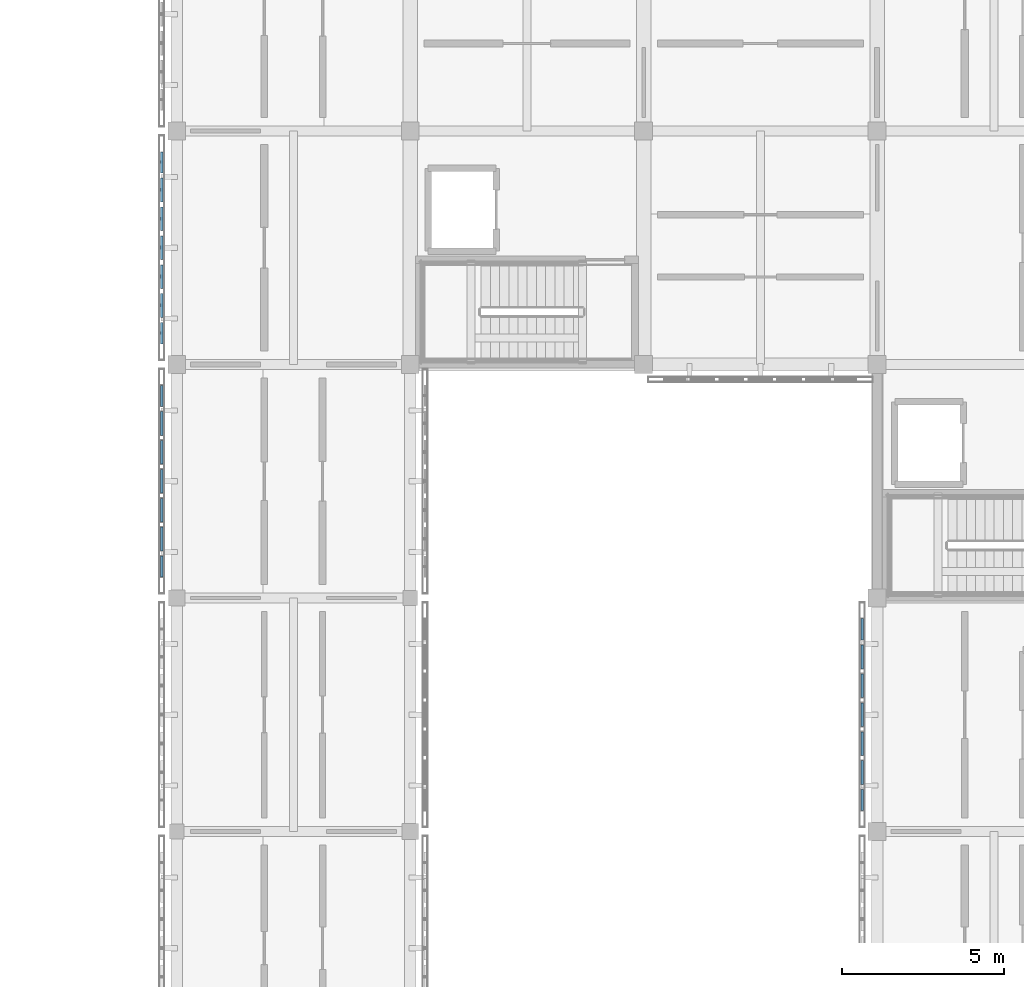
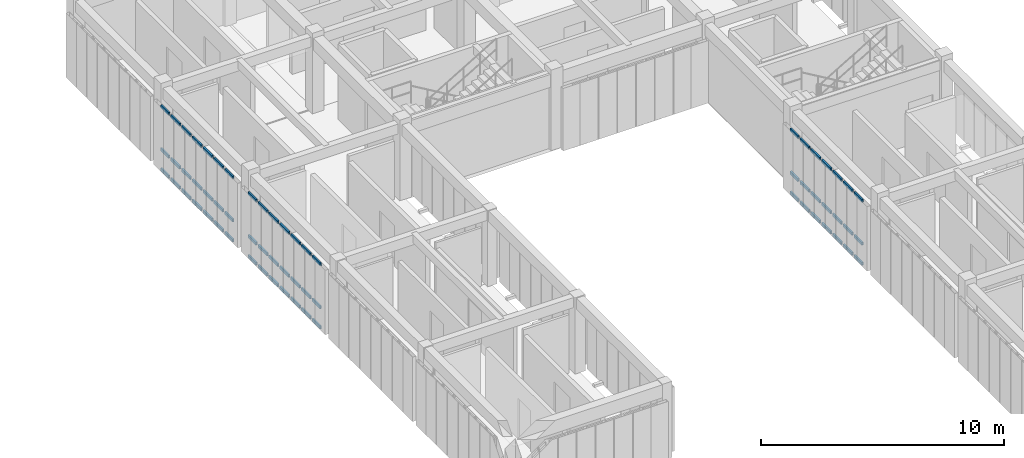
# One storey, part 31 of 67: 63 members, 3 elements without a shape of their own.
"""IFC4 building model written with IfcOpenShell, lengths in metres."""

from ifc_helpers import new_model, si_unit, direction, frame, origin, origin_2d, place, context, subcontext, project, spatial, hollow_rectangle, extrude, material, material_profile, profile_set, type_object, element, aggregate, save


model = new_model("IFC4")

# Units and contexts
model_context = context("Model", 3, precision=1e-05, world=origin(), true_north=direction((0.0, 1.0)))
body_context = subcontext(model_context, "Body", "Model", "MODEL_VIEW")
ifc_project = project(units=[si_unit("LENGTHUNIT", "METRE"), si_unit("AREAUNIT", "SQUARE_METRE"), si_unit("VOLUMEUNIT", "CUBIC_METRE"), si_unit("PLANEANGLEUNIT", "RADIAN"), si_unit("MASSUNIT", "GRAM", prefix="KILO")], contexts=[model_context])

# Site, building, storey
site_placement = place(None, origin())
site = spatial("IfcSite", under=ifc_project, at=site_placement, CompositionType="ELEMENT")
building_placement = place(site_placement, origin())
building = spatial("IfcBuilding", under=site, at=building_placement, Name="Aldebral Square Health Centre", CompositionType="ELEMENT")
storey_placement = place(building_placement, frame((0.0, 0.0, 13.5)))
storey = spatial("IfcBuildingStorey", under=building, at=storey_placement, Name="L03", CompositionType="ELEMENT", Elevation=13.5)

# Curtain wall, members
ifc_material_1 = material(Name="Aluminium and low-E solar glass", Category="aluminium")
curtain_wall_type = type_object("IfcCurtainWallType", Name="CW-FIN-SYS", PredefinedType="USERDEFINED", material=ifc_material_1)
curtain_wall_1_placement = place(storey_placement, origin())
curtain_wall_1 = element("IfcCurtainWall", 1, at=curtain_wall_1_placement, inside=storey, type_object=curtain_wall_type, Name="L03 V5 finned curtain wall L03-V5-19-13-W", ObjectType="SOLAR_CURTAIN_WALL", PredefinedType="USERDEFINED")
ifc_material_2 = material(Name="Anodised aluminium transom", Category="aluminium")
ifc_material_profile = material_profile(ifc_material_2, hollow_rectangle(XDim=0.074951171875, YDim=0.14990234375, WallThickness=0.00390625, at=origin_2d()), Name="CWT 75x150x4")
ifc_profile_set = profile_set([ifc_material_profile], Name="Anodised aluminium transom")
member_type = type_object("IfcMemberType", Name="CWT-STD", PredefinedType="USERDEFINED", material=ifc_profile_set)
member_1_placement = place(storey_placement, frame((136.340087890625, 100.159912109375, 0.03759765625), z_axis=(0.0, -1.0, 0.0), x_axis=(1.0, 0.0, 0.0)))
member_1 = element("IfcMember", 2, at=member_1_placement, type_object=member_type, Name="CW1 transom 1.1", ObjectType="TRANSOM", PredefinedType="USERDEFINED", context=body_context, shape_type="SweptSolid", body=[
    extrude(hollow_rectangle(XDim=0.074951171875, YDim=0.14990234375, WallThickness=0.00390625, at=origin_2d()), origin(), (0.0, 0.0, 1.0), 0.6513671875),
])
member_2_placement = place(storey_placement, frame((136.340087890625, 100.159912109375, 1.050048828125), z_axis=(0.0, -1.0, 0.0), x_axis=(1.0, 0.0, 0.0)))
member_2 = element("IfcMember", 3, at=member_2_placement, type_object=member_type, Name="CW1 transom 1.2", ObjectType="TRANSOM", PredefinedType="USERDEFINED", context=body_context, shape_type="SweptSolid", body=[
    extrude(hollow_rectangle(XDim=0.074951171875, YDim=0.14990234375, WallThickness=0.00390625, at=origin_2d()), origin(), (0.0, 0.0, 1.0), 0.6513671875),
])
member_3_placement = place(storey_placement, frame((136.340087890625, 100.159912109375, 3.202392578125), z_axis=(0.0, -1.0, 0.0), x_axis=(1.0, 0.0, 0.0)))
member_3 = element("IfcMember", 4, at=member_3_placement, type_object=member_type, Name="CW1 transom 1.3", ObjectType="TRANSOM", PredefinedType="USERDEFINED", context=body_context, shape_type="SweptSolid", body=[
    extrude(hollow_rectangle(XDim=0.074951171875, YDim=0.14990234375, WallThickness=0.00390625, at=origin_2d()), origin(), (0.0, 0.0, 1.0), 0.6513671875),
])
member_4_placement = place(storey_placement, frame((136.340087890625, 99.3486328125, 0.03759765625), z_axis=(0.0, -1.0, 0.0), x_axis=(1.0, 0.0, 0.0)))
member_4 = element("IfcMember", 5, at=member_4_placement, type_object=member_type, Name="CW1 transom 2.1", ObjectType="TRANSOM", PredefinedType="USERDEFINED", context=body_context, shape_type="SweptSolid", body=[
    extrude(hollow_rectangle(XDim=0.074951171875, YDim=0.14990234375, WallThickness=0.00390625, at=origin_2d()), origin(), (0.0, 0.0, 1.0), 0.7314453125),
])
member_5_placement = place(storey_placement, frame((136.340087890625, 99.3486328125, 1.050048828125), z_axis=(0.0, -1.0, 0.0), x_axis=(1.0, 0.0, 0.0)))
member_5 = element("IfcMember", 6, at=member_5_placement, type_object=member_type, Name="CW1 transom 2.2", ObjectType="TRANSOM", PredefinedType="USERDEFINED", context=body_context, shape_type="SweptSolid", body=[
    extrude(hollow_rectangle(XDim=0.074951171875, YDim=0.14990234375, WallThickness=0.00390625, at=origin_2d()), origin(), (0.0, 0.0, 1.0), 0.7314453125),
])
member_6_placement = place(storey_placement, frame((136.340087890625, 99.3486328125, 3.202392578125), z_axis=(0.0, -1.0, 0.0), x_axis=(1.0, 0.0, 0.0)))
member_6 = element("IfcMember", 7, at=member_6_placement, type_object=member_type, Name="CW1 transom 2.3", ObjectType="TRANSOM", PredefinedType="USERDEFINED", context=body_context, shape_type="SweptSolid", body=[
    extrude(hollow_rectangle(XDim=0.074951171875, YDim=0.14990234375, WallThickness=0.00390625, at=origin_2d()), origin(), (0.0, 0.0, 1.0), 0.7314453125),
])
member_7_placement = place(storey_placement, frame((136.340087890625, 98.45703125, 0.03759765625), z_axis=(0.0, -1.0, 0.0), x_axis=(1.0, 0.0, 0.0)))
member_7 = element("IfcMember", 8, at=member_7_placement, type_object=member_type, Name="CW1 transom 3.1", ObjectType="TRANSOM", PredefinedType="USERDEFINED", context=body_context, shape_type="SweptSolid", body=[
    extrude(hollow_rectangle(XDim=0.074951171875, YDim=0.14990234375, WallThickness=0.00390625, at=origin_2d()), origin(), (0.0, 0.0, 1.0), 0.731201171875),
])
member_8_placement = place(storey_placement, frame((136.340087890625, 98.45703125, 1.050048828125), z_axis=(0.0, -1.0, 0.0), x_axis=(1.0, 0.0, 0.0)))
member_8 = element("IfcMember", 9, at=member_8_placement, type_object=member_type, Name="CW1 transom 3.2", ObjectType="TRANSOM", PredefinedType="USERDEFINED", context=body_context, shape_type="SweptSolid", body=[
    extrude(hollow_rectangle(XDim=0.074951171875, YDim=0.14990234375, WallThickness=0.00390625, at=origin_2d()), origin(), (0.0, 0.0, 1.0), 0.731201171875),
])
member_9_placement = place(storey_placement, frame((136.340087890625, 98.45703125, 3.202392578125), z_axis=(0.0, -1.0, 0.0), x_axis=(1.0, 0.0, 0.0)))
member_9 = element("IfcMember", 10, at=member_9_placement, type_object=member_type, Name="CW1 transom 3.3", ObjectType="TRANSOM", PredefinedType="USERDEFINED", context=body_context, shape_type="SweptSolid", body=[
    extrude(hollow_rectangle(XDim=0.074951171875, YDim=0.14990234375, WallThickness=0.00390625, at=origin_2d()), origin(), (0.0, 0.0, 1.0), 0.731201171875),
])
member_10_placement = place(storey_placement, frame((136.340087890625, 97.565673828125, 0.03759765625), z_axis=(0.0, -1.0, 0.0), x_axis=(1.0, 0.0, 0.0)))
member_10 = element("IfcMember", 11, at=member_10_placement, type_object=member_type, Name="CW1 transom 4.1", ObjectType="TRANSOM", PredefinedType="USERDEFINED", context=body_context, shape_type="SweptSolid", body=[
    extrude(hollow_rectangle(XDim=0.074951171875, YDim=0.14990234375, WallThickness=0.00390625, at=origin_2d()), origin(), (0.0, 0.0, 1.0), 0.7314453125),
])
member_11_placement = place(storey_placement, frame((136.340087890625, 97.565673828125, 1.050048828125), z_axis=(0.0, -1.0, 0.0), x_axis=(1.0, 0.0, 0.0)))
member_11 = element("IfcMember", 12, at=member_11_placement, type_object=member_type, Name="CW1 transom 4.2", ObjectType="TRANSOM", PredefinedType="USERDEFINED", context=body_context, shape_type="SweptSolid", body=[
    extrude(hollow_rectangle(XDim=0.074951171875, YDim=0.14990234375, WallThickness=0.00390625, at=origin_2d()), origin(), (0.0, 0.0, 1.0), 0.7314453125),
])
member_12_placement = place(storey_placement, frame((136.340087890625, 97.565673828125, 3.202392578125), z_axis=(0.0, -1.0, 0.0), x_axis=(1.0, 0.0, 0.0)))
member_12 = element("IfcMember", 13, at=member_12_placement, type_object=member_type, Name="CW1 transom 4.3", ObjectType="TRANSOM", PredefinedType="USERDEFINED", context=body_context, shape_type="SweptSolid", body=[
    extrude(hollow_rectangle(XDim=0.074951171875, YDim=0.14990234375, WallThickness=0.00390625, at=origin_2d()), origin(), (0.0, 0.0, 1.0), 0.7314453125),
])
member_13_placement = place(storey_placement, frame((136.340087890625, 96.67431640625, 0.03759765625), z_axis=(0.0, -1.0, 0.0), x_axis=(1.0, 0.0, 0.0)))
member_13 = element("IfcMember", 14, at=member_13_placement, type_object=member_type, Name="CW1 transom 5.1", ObjectType="TRANSOM", PredefinedType="USERDEFINED", context=body_context, shape_type="SweptSolid", body=[
    extrude(hollow_rectangle(XDim=0.074951171875, YDim=0.14990234375, WallThickness=0.00390625, at=origin_2d()), origin(), (0.0, 0.0, 1.0), 0.7314453125),
])
member_14_placement = place(storey_placement, frame((136.340087890625, 96.67431640625, 1.050048828125), z_axis=(0.0, -1.0, 0.0), x_axis=(1.0, 0.0, 0.0)))
member_14 = element("IfcMember", 15, at=member_14_placement, type_object=member_type, Name="CW1 transom 5.2", ObjectType="TRANSOM", PredefinedType="USERDEFINED", context=body_context, shape_type="SweptSolid", body=[
    extrude(hollow_rectangle(XDim=0.074951171875, YDim=0.14990234375, WallThickness=0.00390625, at=origin_2d()), origin(), (0.0, 0.0, 1.0), 0.7314453125),
])
member_15_placement = place(storey_placement, frame((136.340087890625, 96.67431640625, 3.202392578125), z_axis=(0.0, -1.0, 0.0), x_axis=(1.0, 0.0, 0.0)))
member_15 = element("IfcMember", 16, at=member_15_placement, type_object=member_type, Name="CW1 transom 5.3", ObjectType="TRANSOM", PredefinedType="USERDEFINED", context=body_context, shape_type="SweptSolid", body=[
    extrude(hollow_rectangle(XDim=0.074951171875, YDim=0.14990234375, WallThickness=0.00390625, at=origin_2d()), origin(), (0.0, 0.0, 1.0), 0.7314453125),
])
member_16_placement = place(storey_placement, frame((136.340087890625, 95.782958984375, 0.03759765625), z_axis=(0.0, -1.0, 0.0), x_axis=(1.0, 0.0, 0.0)))
member_16 = element("IfcMember", 17, at=member_16_placement, type_object=member_type, Name="CW1 transom 6.1", ObjectType="TRANSOM", PredefinedType="USERDEFINED", context=body_context, shape_type="SweptSolid", body=[
    extrude(hollow_rectangle(XDim=0.074951171875, YDim=0.14990234375, WallThickness=0.00390625, at=origin_2d()), origin(), (0.0, 0.0, 1.0), 0.7314453125),
])
member_17_placement = place(storey_placement, frame((136.340087890625, 95.782958984375, 1.050048828125), z_axis=(0.0, -1.0, 0.0), x_axis=(1.0, 0.0, 0.0)))
member_17 = element("IfcMember", 18, at=member_17_placement, type_object=member_type, Name="CW1 transom 6.2", ObjectType="TRANSOM", PredefinedType="USERDEFINED", context=body_context, shape_type="SweptSolid", body=[
    extrude(hollow_rectangle(XDim=0.074951171875, YDim=0.14990234375, WallThickness=0.00390625, at=origin_2d()), origin(), (0.0, 0.0, 1.0), 0.7314453125),
])
member_18_placement = place(storey_placement, frame((136.340087890625, 95.782958984375, 3.202392578125), z_axis=(0.0, -1.0, 0.0), x_axis=(1.0, 0.0, 0.0)))
member_18 = element("IfcMember", 19, at=member_18_placement, type_object=member_type, Name="CW1 transom 6.3", ObjectType="TRANSOM", PredefinedType="USERDEFINED", context=body_context, shape_type="SweptSolid", body=[
    extrude(hollow_rectangle(XDim=0.074951171875, YDim=0.14990234375, WallThickness=0.00390625, at=origin_2d()), origin(), (0.0, 0.0, 1.0), 0.7314453125),
])
member_19_placement = place(storey_placement, frame((136.340087890625, 94.891357421875, 0.03759765625), z_axis=(0.0, -1.0, 0.0), x_axis=(1.0, 0.0, 0.0)))
member_19 = element("IfcMember", 20, at=member_19_placement, type_object=member_type, Name="CW1 transom 7.1", ObjectType="TRANSOM", PredefinedType="USERDEFINED", context=body_context, shape_type="SweptSolid", body=[
    extrude(hollow_rectangle(XDim=0.074951171875, YDim=0.14990234375, WallThickness=0.00390625, at=origin_2d()), origin(), (0.0, 0.0, 1.0), 0.6513671875),
])
member_20_placement = place(storey_placement, frame((136.340087890625, 94.891357421875, 1.050048828125), z_axis=(0.0, -1.0, 0.0), x_axis=(1.0, 0.0, 0.0)))
member_20 = element("IfcMember", 21, at=member_20_placement, type_object=member_type, Name="CW1 transom 7.2", ObjectType="TRANSOM", PredefinedType="USERDEFINED", context=body_context, shape_type="SweptSolid", body=[
    extrude(hollow_rectangle(XDim=0.074951171875, YDim=0.14990234375, WallThickness=0.00390625, at=origin_2d()), origin(), (0.0, 0.0, 1.0), 0.6513671875),
])
member_21_placement = place(storey_placement, frame((136.340087890625, 94.891357421875, 3.202392578125), z_axis=(0.0, -1.0, 0.0), x_axis=(1.0, 0.0, 0.0)))
member_21 = element("IfcMember", 22, at=member_21_placement, type_object=member_type, Name="CW1 transom 7.3", ObjectType="TRANSOM", PredefinedType="USERDEFINED", context=body_context, shape_type="SweptSolid", body=[
    extrude(hollow_rectangle(XDim=0.074951171875, YDim=0.14990234375, WallThickness=0.00390625, at=origin_2d()), origin(), (0.0, 0.0, 1.0), 0.6513671875),
])
aggregate(curtain_wall_1, [member_1, member_2, member_3, member_4, member_5, member_6, member_7, member_8, member_9, member_10, member_11, member_12, member_13, member_14, member_15, member_16, member_17, member_18, member_19, member_20, member_21])

curtain_wall_2_placement = place(storey_placement, origin())
curtain_wall_2 = element("IfcCurtainWall", 23, at=curtain_wall_2_placement, inside=storey, type_object=curtain_wall_type, Name="L03 V5 finned curtain wall L03-V5-19-14-W", ObjectType="SOLAR_CURTAIN_WALL", PredefinedType="USERDEFINED")
member_22_placement = place(storey_placement, frame((136.340087890625, 107.360107421875, 0.03759765625), z_axis=(0.0, -1.0, 0.0), x_axis=(1.0, 0.0, 0.0)))
member_22 = element("IfcMember", 24, at=member_22_placement, type_object=member_type, Name="CW1 transom 1.1", ObjectType="TRANSOM", PredefinedType="USERDEFINED", context=body_context, shape_type="SweptSolid", body=[
    extrude(hollow_rectangle(XDim=0.074951171875, YDim=0.14990234375, WallThickness=0.00390625, at=origin_2d()), origin(), (0.0, 0.0, 1.0), 0.651611328125),
])
member_23_placement = place(storey_placement, frame((136.340087890625, 107.360107421875, 1.050048828125), z_axis=(0.0, -1.0, 0.0), x_axis=(1.0, 0.0, 0.0)))
member_23 = element("IfcMember", 25, at=member_23_placement, type_object=member_type, Name="CW1 transom 1.2", ObjectType="TRANSOM", PredefinedType="USERDEFINED", context=body_context, shape_type="SweptSolid", body=[
    extrude(hollow_rectangle(XDim=0.074951171875, YDim=0.14990234375, WallThickness=0.00390625, at=origin_2d()), origin(), (0.0, 0.0, 1.0), 0.651611328125),
])
member_24_placement = place(storey_placement, frame((136.340087890625, 107.360107421875, 3.202392578125), z_axis=(0.0, -1.0, 0.0), x_axis=(1.0, 0.0, 0.0)))
member_24 = element("IfcMember", 26, at=member_24_placement, type_object=member_type, Name="CW1 transom 1.3", ObjectType="TRANSOM", PredefinedType="USERDEFINED", context=body_context, shape_type="SweptSolid", body=[
    extrude(hollow_rectangle(XDim=0.074951171875, YDim=0.14990234375, WallThickness=0.00390625, at=origin_2d()), origin(), (0.0, 0.0, 1.0), 0.651611328125),
])
member_25_placement = place(storey_placement, frame((136.340087890625, 106.548583984375, 0.03759765625), z_axis=(0.0, -1.0, 0.0), x_axis=(1.0, 0.0, 0.0)))
member_25 = element("IfcMember", 27, at=member_25_placement, type_object=member_type, Name="CW1 transom 2.1", ObjectType="TRANSOM", PredefinedType="USERDEFINED", context=body_context, shape_type="SweptSolid", body=[
    extrude(hollow_rectangle(XDim=0.074951171875, YDim=0.14990234375, WallThickness=0.00390625, at=origin_2d()), origin(), (0.0, 0.0, 1.0), 0.7314453125),
])
member_26_placement = place(storey_placement, frame((136.340087890625, 106.548583984375, 1.050048828125), z_axis=(0.0, -1.0, 0.0), x_axis=(1.0, 0.0, 0.0)))
member_26 = element("IfcMember", 28, at=member_26_placement, type_object=member_type, Name="CW1 transom 2.2", ObjectType="TRANSOM", PredefinedType="USERDEFINED", context=body_context, shape_type="SweptSolid", body=[
    extrude(hollow_rectangle(XDim=0.074951171875, YDim=0.14990234375, WallThickness=0.00390625, at=origin_2d()), origin(), (0.0, 0.0, 1.0), 0.7314453125),
])
member_27_placement = place(storey_placement, frame((136.340087890625, 106.548583984375, 3.202392578125), z_axis=(0.0, -1.0, 0.0), x_axis=(1.0, 0.0, 0.0)))
member_27 = element("IfcMember", 29, at=member_27_placement, type_object=member_type, Name="CW1 transom 2.3", ObjectType="TRANSOM", PredefinedType="USERDEFINED", context=body_context, shape_type="SweptSolid", body=[
    extrude(hollow_rectangle(XDim=0.074951171875, YDim=0.14990234375, WallThickness=0.00390625, at=origin_2d()), origin(), (0.0, 0.0, 1.0), 0.7314453125),
])
member_28_placement = place(storey_placement, frame((136.340087890625, 105.6572265625, 0.03759765625), z_axis=(0.0, -1.0, 0.0), x_axis=(1.0, 0.0, 0.0)))
member_28 = element("IfcMember", 30, at=member_28_placement, type_object=member_type, Name="CW1 transom 3.1", ObjectType="TRANSOM", PredefinedType="USERDEFINED", context=body_context, shape_type="SweptSolid", body=[
    extrude(hollow_rectangle(XDim=0.074951171875, YDim=0.14990234375, WallThickness=0.00390625, at=origin_2d()), origin(), (0.0, 0.0, 1.0), 0.7314453125),
])
member_29_placement = place(storey_placement, frame((136.340087890625, 105.6572265625, 1.050048828125), z_axis=(0.0, -1.0, 0.0), x_axis=(1.0, 0.0, 0.0)))
member_29 = element("IfcMember", 31, at=member_29_placement, type_object=member_type, Name="CW1 transom 3.2", ObjectType="TRANSOM", PredefinedType="USERDEFINED", context=body_context, shape_type="SweptSolid", body=[
    extrude(hollow_rectangle(XDim=0.074951171875, YDim=0.14990234375, WallThickness=0.00390625, at=origin_2d()), origin(), (0.0, 0.0, 1.0), 0.7314453125),
])
member_30_placement = place(storey_placement, frame((136.340087890625, 105.6572265625, 3.202392578125), z_axis=(0.0, -1.0, 0.0), x_axis=(1.0, 0.0, 0.0)))
member_30 = element("IfcMember", 32, at=member_30_placement, type_object=member_type, Name="CW1 transom 3.3", ObjectType="TRANSOM", PredefinedType="USERDEFINED", context=body_context, shape_type="SweptSolid", body=[
    extrude(hollow_rectangle(XDim=0.074951171875, YDim=0.14990234375, WallThickness=0.00390625, at=origin_2d()), origin(), (0.0, 0.0, 1.0), 0.7314453125),
])
member_31_placement = place(storey_placement, frame((136.340087890625, 104.765625, 0.03759765625), z_axis=(0.0, -1.0, 0.0), x_axis=(1.0, 0.0, 0.0)))
member_31 = element("IfcMember", 33, at=member_31_placement, type_object=member_type, Name="CW1 transom 4.1", ObjectType="TRANSOM", PredefinedType="USERDEFINED", context=body_context, shape_type="SweptSolid", body=[
    extrude(hollow_rectangle(XDim=0.074951171875, YDim=0.14990234375, WallThickness=0.00390625, at=origin_2d()), origin(), (0.0, 0.0, 1.0), 0.7314453125),
])
member_32_placement = place(storey_placement, frame((136.340087890625, 104.765625, 1.050048828125), z_axis=(0.0, -1.0, 0.0), x_axis=(1.0, 0.0, 0.0)))
member_32 = element("IfcMember", 34, at=member_32_placement, type_object=member_type, Name="CW1 transom 4.2", ObjectType="TRANSOM", PredefinedType="USERDEFINED", context=body_context, shape_type="SweptSolid", body=[
    extrude(hollow_rectangle(XDim=0.074951171875, YDim=0.14990234375, WallThickness=0.00390625, at=origin_2d()), origin(), (0.0, 0.0, 1.0), 0.7314453125),
])
member_33_placement = place(storey_placement, frame((136.340087890625, 104.765625, 3.202392578125), z_axis=(0.0, -1.0, 0.0), x_axis=(1.0, 0.0, 0.0)))
member_33 = element("IfcMember", 35, at=member_33_placement, type_object=member_type, Name="CW1 transom 4.3", ObjectType="TRANSOM", PredefinedType="USERDEFINED", context=body_context, shape_type="SweptSolid", body=[
    extrude(hollow_rectangle(XDim=0.074951171875, YDim=0.14990234375, WallThickness=0.00390625, at=origin_2d()), origin(), (0.0, 0.0, 1.0), 0.7314453125),
])
member_34_placement = place(storey_placement, frame((136.340087890625, 103.874267578125, 0.03759765625), z_axis=(0.0, -1.0, 0.0), x_axis=(1.0, 0.0, 0.0)))
member_34 = element("IfcMember", 36, at=member_34_placement, type_object=member_type, Name="CW1 transom 5.1", ObjectType="TRANSOM", PredefinedType="USERDEFINED", context=body_context, shape_type="SweptSolid", body=[
    extrude(hollow_rectangle(XDim=0.074951171875, YDim=0.14990234375, WallThickness=0.00390625, at=origin_2d()), origin(), (0.0, 0.0, 1.0), 0.7314453125),
])
member_35_placement = place(storey_placement, frame((136.340087890625, 103.874267578125, 1.050048828125), z_axis=(0.0, -1.0, 0.0), x_axis=(1.0, 0.0, 0.0)))
member_35 = element("IfcMember", 37, at=member_35_placement, type_object=member_type, Name="CW1 transom 5.2", ObjectType="TRANSOM", PredefinedType="USERDEFINED", context=body_context, shape_type="SweptSolid", body=[
    extrude(hollow_rectangle(XDim=0.074951171875, YDim=0.14990234375, WallThickness=0.00390625, at=origin_2d()), origin(), (0.0, 0.0, 1.0), 0.7314453125),
])
member_36_placement = place(storey_placement, frame((136.340087890625, 103.874267578125, 3.202392578125), z_axis=(0.0, -1.0, 0.0), x_axis=(1.0, 0.0, 0.0)))
member_36 = element("IfcMember", 38, at=member_36_placement, type_object=member_type, Name="CW1 transom 5.3", ObjectType="TRANSOM", PredefinedType="USERDEFINED", context=body_context, shape_type="SweptSolid", body=[
    extrude(hollow_rectangle(XDim=0.074951171875, YDim=0.14990234375, WallThickness=0.00390625, at=origin_2d()), origin(), (0.0, 0.0, 1.0), 0.7314453125),
])
member_37_placement = place(storey_placement, frame((136.340087890625, 102.98291015625, 0.03759765625), z_axis=(0.0, -1.0, 0.0), x_axis=(1.0, 0.0, 0.0)))
member_37 = element("IfcMember", 39, at=member_37_placement, type_object=member_type, Name="CW1 transom 6.1", ObjectType="TRANSOM", PredefinedType="USERDEFINED", context=body_context, shape_type="SweptSolid", body=[
    extrude(hollow_rectangle(XDim=0.074951171875, YDim=0.14990234375, WallThickness=0.00390625, at=origin_2d()), origin(), (0.0, 0.0, 1.0), 0.7314453125),
])
member_38_placement = place(storey_placement, frame((136.340087890625, 102.98291015625, 1.050048828125), z_axis=(0.0, -1.0, 0.0), x_axis=(1.0, 0.0, 0.0)))
member_38 = element("IfcMember", 40, at=member_38_placement, type_object=member_type, Name="CW1 transom 6.2", ObjectType="TRANSOM", PredefinedType="USERDEFINED", context=body_context, shape_type="SweptSolid", body=[
    extrude(hollow_rectangle(XDim=0.074951171875, YDim=0.14990234375, WallThickness=0.00390625, at=origin_2d()), origin(), (0.0, 0.0, 1.0), 0.7314453125),
])
member_39_placement = place(storey_placement, frame((136.340087890625, 102.98291015625, 3.202392578125), z_axis=(0.0, -1.0, 0.0), x_axis=(1.0, 0.0, 0.0)))
member_39 = element("IfcMember", 41, at=member_39_placement, type_object=member_type, Name="CW1 transom 6.3", ObjectType="TRANSOM", PredefinedType="USERDEFINED", context=body_context, shape_type="SweptSolid", body=[
    extrude(hollow_rectangle(XDim=0.074951171875, YDim=0.14990234375, WallThickness=0.00390625, at=origin_2d()), origin(), (0.0, 0.0, 1.0), 0.7314453125),
])
member_40_placement = place(storey_placement, frame((136.340087890625, 102.09130859375, 0.03759765625), z_axis=(0.0, -1.0, 0.0), x_axis=(1.0, 0.0, 0.0)))
member_40 = element("IfcMember", 42, at=member_40_placement, type_object=member_type, Name="CW1 transom 7.1", ObjectType="TRANSOM", PredefinedType="USERDEFINED", context=body_context, shape_type="SweptSolid", body=[
    extrude(hollow_rectangle(XDim=0.074951171875, YDim=0.14990234375, WallThickness=0.00390625, at=origin_2d()), origin(), (0.0, 0.0, 1.0), 0.6513671875),
])
member_41_placement = place(storey_placement, frame((136.340087890625, 102.09130859375, 1.050048828125), z_axis=(0.0, -1.0, 0.0), x_axis=(1.0, 0.0, 0.0)))
member_41 = element("IfcMember", 43, at=member_41_placement, type_object=member_type, Name="CW1 transom 7.2", ObjectType="TRANSOM", PredefinedType="USERDEFINED", context=body_context, shape_type="SweptSolid", body=[
    extrude(hollow_rectangle(XDim=0.074951171875, YDim=0.14990234375, WallThickness=0.00390625, at=origin_2d()), origin(), (0.0, 0.0, 1.0), 0.6513671875),
])
member_42_placement = place(storey_placement, frame((136.340087890625, 102.09130859375, 3.202392578125), z_axis=(0.0, -1.0, 0.0), x_axis=(1.0, 0.0, 0.0)))
member_42 = element("IfcMember", 44, at=member_42_placement, type_object=member_type, Name="CW1 transom 7.3", ObjectType="TRANSOM", PredefinedType="USERDEFINED", context=body_context, shape_type="SweptSolid", body=[
    extrude(hollow_rectangle(XDim=0.074951171875, YDim=0.14990234375, WallThickness=0.00390625, at=origin_2d()), origin(), (0.0, 0.0, 1.0), 0.6513671875),
])
aggregate(curtain_wall_2, [member_22, member_23, member_24, member_25, member_26, member_27, member_28, member_29, member_30, member_31, member_32, member_33, member_34, member_35, member_36, member_37, member_38, member_39, member_40, member_41, member_42])

curtain_wall_3_placement = place(storey_placement, origin())
curtain_wall_3 = element("IfcCurtainWall", 45, at=curtain_wall_3_placement, inside=storey, type_object=curtain_wall_type, Name="L03 V5 finned curtain wall L03-V5-22-12-W", ObjectType="SOLAR_CURTAIN_WALL", PredefinedType="USERDEFINED")
member_43_placement = place(storey_placement, frame((157.93994140625, 92.9599609375, 0.03759765625), z_axis=(0.0, -1.0, 0.0), x_axis=(1.0, 0.0, 0.0)))
member_43 = element("IfcMember", 46, at=member_43_placement, type_object=member_type, Name="CW1 transom 1.1", ObjectType="TRANSOM", PredefinedType="USERDEFINED", context=body_context, shape_type="SweptSolid", body=[
    extrude(hollow_rectangle(XDim=0.074951171875, YDim=0.14990234375, WallThickness=0.00390625, at=origin_2d()), origin(), (0.0, 0.0, 1.0), 0.6513671875),
])
member_44_placement = place(storey_placement, frame((157.93994140625, 92.9599609375, 1.050048828125), z_axis=(0.0, -1.0, 0.0), x_axis=(1.0, 0.0, 0.0)))
member_44 = element("IfcMember", 47, at=member_44_placement, type_object=member_type, Name="CW1 transom 1.2", ObjectType="TRANSOM", PredefinedType="USERDEFINED", context=body_context, shape_type="SweptSolid", body=[
    extrude(hollow_rectangle(XDim=0.074951171875, YDim=0.14990234375, WallThickness=0.00390625, at=origin_2d()), origin(), (0.0, 0.0, 1.0), 0.6513671875),
])
member_45_placement = place(storey_placement, frame((157.93994140625, 92.9599609375, 3.202392578125), z_axis=(0.0, -1.0, 0.0), x_axis=(1.0, 0.0, 0.0)))
member_45 = element("IfcMember", 48, at=member_45_placement, type_object=member_type, Name="CW1 transom 1.3", ObjectType="TRANSOM", PredefinedType="USERDEFINED", context=body_context, shape_type="SweptSolid", body=[
    extrude(hollow_rectangle(XDim=0.074951171875, YDim=0.14990234375, WallThickness=0.00390625, at=origin_2d()), origin(), (0.0, 0.0, 1.0), 0.6513671875),
])
member_46_placement = place(storey_placement, frame((157.93994140625, 92.148681640625, 0.03759765625), z_axis=(0.0, -1.0, 0.0), x_axis=(1.0, 0.0, 0.0)))
member_46 = element("IfcMember", 49, at=member_46_placement, type_object=member_type, Name="CW1 transom 2.1", ObjectType="TRANSOM", PredefinedType="USERDEFINED", context=body_context, shape_type="SweptSolid", body=[
    extrude(hollow_rectangle(XDim=0.074951171875, YDim=0.14990234375, WallThickness=0.00390625, at=origin_2d()), origin(), (0.0, 0.0, 1.0), 0.7314453125),
])
member_47_placement = place(storey_placement, frame((157.93994140625, 92.148681640625, 1.050048828125), z_axis=(0.0, -1.0, 0.0), x_axis=(1.0, 0.0, 0.0)))
member_47 = element("IfcMember", 50, at=member_47_placement, type_object=member_type, Name="CW1 transom 2.2", ObjectType="TRANSOM", PredefinedType="USERDEFINED", context=body_context, shape_type="SweptSolid", body=[
    extrude(hollow_rectangle(XDim=0.074951171875, YDim=0.14990234375, WallThickness=0.00390625, at=origin_2d()), origin(), (0.0, 0.0, 1.0), 0.7314453125),
])
member_48_placement = place(storey_placement, frame((157.93994140625, 92.148681640625, 3.202392578125), z_axis=(0.0, -1.0, 0.0), x_axis=(1.0, 0.0, 0.0)))
member_48 = element("IfcMember", 51, at=member_48_placement, type_object=member_type, Name="CW1 transom 2.3", ObjectType="TRANSOM", PredefinedType="USERDEFINED", context=body_context, shape_type="SweptSolid", body=[
    extrude(hollow_rectangle(XDim=0.074951171875, YDim=0.14990234375, WallThickness=0.00390625, at=origin_2d()), origin(), (0.0, 0.0, 1.0), 0.7314453125),
])
member_49_placement = place(storey_placement, frame((157.93994140625, 91.257080078125, 0.03759765625), z_axis=(0.0, -1.0, 0.0), x_axis=(1.0, 0.0, 0.0)))
member_49 = element("IfcMember", 52, at=member_49_placement, type_object=member_type, Name="CW1 transom 3.1", ObjectType="TRANSOM", PredefinedType="USERDEFINED", context=body_context, shape_type="SweptSolid", body=[
    extrude(hollow_rectangle(XDim=0.074951171875, YDim=0.14990234375, WallThickness=0.00390625, at=origin_2d()), origin(), (0.0, 0.0, 1.0), 0.7314453125),
])
member_50_placement = place(storey_placement, frame((157.93994140625, 91.257080078125, 1.050048828125), z_axis=(0.0, -1.0, 0.0), x_axis=(1.0, 0.0, 0.0)))
member_50 = element("IfcMember", 53, at=member_50_placement, type_object=member_type, Name="CW1 transom 3.2", ObjectType="TRANSOM", PredefinedType="USERDEFINED", context=body_context, shape_type="SweptSolid", body=[
    extrude(hollow_rectangle(XDim=0.074951171875, YDim=0.14990234375, WallThickness=0.00390625, at=origin_2d()), origin(), (0.0, 0.0, 1.0), 0.7314453125),
])
member_51_placement = place(storey_placement, frame((157.93994140625, 91.257080078125, 3.202392578125), z_axis=(0.0, -1.0, 0.0), x_axis=(1.0, 0.0, 0.0)))
member_51 = element("IfcMember", 54, at=member_51_placement, type_object=member_type, Name="CW1 transom 3.3", ObjectType="TRANSOM", PredefinedType="USERDEFINED", context=body_context, shape_type="SweptSolid", body=[
    extrude(hollow_rectangle(XDim=0.074951171875, YDim=0.14990234375, WallThickness=0.00390625, at=origin_2d()), origin(), (0.0, 0.0, 1.0), 0.7314453125),
])
member_52_placement = place(storey_placement, frame((157.93994140625, 90.36572265625, 0.03759765625), z_axis=(0.0, -1.0, 0.0), x_axis=(1.0, 0.0, 0.0)))
member_52 = element("IfcMember", 55, at=member_52_placement, type_object=member_type, Name="CW1 transom 4.1", ObjectType="TRANSOM", PredefinedType="USERDEFINED", context=body_context, shape_type="SweptSolid", body=[
    extrude(hollow_rectangle(XDim=0.074951171875, YDim=0.14990234375, WallThickness=0.00390625, at=origin_2d()), origin(), (0.0, 0.0, 1.0), 0.7314453125),
])
member_53_placement = place(storey_placement, frame((157.93994140625, 90.36572265625, 1.050048828125), z_axis=(0.0, -1.0, 0.0), x_axis=(1.0, 0.0, 0.0)))
member_53 = element("IfcMember", 56, at=member_53_placement, type_object=member_type, Name="CW1 transom 4.2", ObjectType="TRANSOM", PredefinedType="USERDEFINED", context=body_context, shape_type="SweptSolid", body=[
    extrude(hollow_rectangle(XDim=0.074951171875, YDim=0.14990234375, WallThickness=0.00390625, at=origin_2d()), origin(), (0.0, 0.0, 1.0), 0.7314453125),
])
member_54_placement = place(storey_placement, frame((157.93994140625, 90.36572265625, 3.202392578125), z_axis=(0.0, -1.0, 0.0), x_axis=(1.0, 0.0, 0.0)))
member_54 = element("IfcMember", 57, at=member_54_placement, type_object=member_type, Name="CW1 transom 4.3", ObjectType="TRANSOM", PredefinedType="USERDEFINED", context=body_context, shape_type="SweptSolid", body=[
    extrude(hollow_rectangle(XDim=0.074951171875, YDim=0.14990234375, WallThickness=0.00390625, at=origin_2d()), origin(), (0.0, 0.0, 1.0), 0.7314453125),
])
member_55_placement = place(storey_placement, frame((157.93994140625, 89.474365234375, 0.03759765625), z_axis=(0.0, -1.0, 0.0), x_axis=(1.0, 0.0, 0.0)))
member_55 = element("IfcMember", 58, at=member_55_placement, type_object=member_type, Name="CW1 transom 5.1", ObjectType="TRANSOM", PredefinedType="USERDEFINED", context=body_context, shape_type="SweptSolid", body=[
    extrude(hollow_rectangle(XDim=0.074951171875, YDim=0.14990234375, WallThickness=0.00390625, at=origin_2d()), origin(), (0.0, 0.0, 1.0), 0.7314453125),
])
member_56_placement = place(storey_placement, frame((157.93994140625, 89.474365234375, 1.050048828125), z_axis=(0.0, -1.0, 0.0), x_axis=(1.0, 0.0, 0.0)))
member_56 = element("IfcMember", 59, at=member_56_placement, type_object=member_type, Name="CW1 transom 5.2", ObjectType="TRANSOM", PredefinedType="USERDEFINED", context=body_context, shape_type="SweptSolid", body=[
    extrude(hollow_rectangle(XDim=0.074951171875, YDim=0.14990234375, WallThickness=0.00390625, at=origin_2d()), origin(), (0.0, 0.0, 1.0), 0.7314453125),
])
member_57_placement = place(storey_placement, frame((157.93994140625, 89.474365234375, 3.202392578125), z_axis=(0.0, -1.0, 0.0), x_axis=(1.0, 0.0, 0.0)))
member_57 = element("IfcMember", 60, at=member_57_placement, type_object=member_type, Name="CW1 transom 5.3", ObjectType="TRANSOM", PredefinedType="USERDEFINED", context=body_context, shape_type="SweptSolid", body=[
    extrude(hollow_rectangle(XDim=0.074951171875, YDim=0.14990234375, WallThickness=0.00390625, at=origin_2d()), origin(), (0.0, 0.0, 1.0), 0.7314453125),
])
member_58_placement = place(storey_placement, frame((157.93994140625, 88.582763671875, 0.03759765625), z_axis=(0.0, -1.0, 0.0), x_axis=(1.0, 0.0, 0.0)))
member_58 = element("IfcMember", 61, at=member_58_placement, type_object=member_type, Name="CW1 transom 6.1", ObjectType="TRANSOM", PredefinedType="USERDEFINED", context=body_context, shape_type="SweptSolid", body=[
    extrude(hollow_rectangle(XDim=0.074951171875, YDim=0.14990234375, WallThickness=0.00390625, at=origin_2d()), origin(), (0.0, 0.0, 1.0), 0.7314453125),
])
member_59_placement = place(storey_placement, frame((157.93994140625, 88.582763671875, 1.050048828125), z_axis=(0.0, -1.0, 0.0), x_axis=(1.0, 0.0, 0.0)))
member_59 = element("IfcMember", 62, at=member_59_placement, type_object=member_type, Name="CW1 transom 6.2", ObjectType="TRANSOM", PredefinedType="USERDEFINED", context=body_context, shape_type="SweptSolid", body=[
    extrude(hollow_rectangle(XDim=0.074951171875, YDim=0.14990234375, WallThickness=0.00390625, at=origin_2d()), origin(), (0.0, 0.0, 1.0), 0.7314453125),
])
member_60_placement = place(storey_placement, frame((157.93994140625, 88.582763671875, 3.202392578125), z_axis=(0.0, -1.0, 0.0), x_axis=(1.0, 0.0, 0.0)))
member_60 = element("IfcMember", 63, at=member_60_placement, type_object=member_type, Name="CW1 transom 6.3", ObjectType="TRANSOM", PredefinedType="USERDEFINED", context=body_context, shape_type="SweptSolid", body=[
    extrude(hollow_rectangle(XDim=0.074951171875, YDim=0.14990234375, WallThickness=0.00390625, at=origin_2d()), origin(), (0.0, 0.0, 1.0), 0.7314453125),
])
member_61_placement = place(storey_placement, frame((157.93994140625, 87.69140625, 0.03759765625), z_axis=(0.0, -1.0, 0.0), x_axis=(1.0, 0.0, 0.0)))
member_61 = element("IfcMember", 64, at=member_61_placement, type_object=member_type, Name="CW1 transom 7.1", ObjectType="TRANSOM", PredefinedType="USERDEFINED", context=body_context, shape_type="SweptSolid", body=[
    extrude(hollow_rectangle(XDim=0.074951171875, YDim=0.14990234375, WallThickness=0.00390625, at=origin_2d()), origin(), (0.0, 0.0, 1.0), 0.6513671875),
])
member_62_placement = place(storey_placement, frame((157.93994140625, 87.69140625, 1.050048828125), z_axis=(0.0, -1.0, 0.0), x_axis=(1.0, 0.0, 0.0)))
member_62 = element("IfcMember", 65, at=member_62_placement, type_object=member_type, Name="CW1 transom 7.2", ObjectType="TRANSOM", PredefinedType="USERDEFINED", context=body_context, shape_type="SweptSolid", body=[
    extrude(hollow_rectangle(XDim=0.074951171875, YDim=0.14990234375, WallThickness=0.00390625, at=origin_2d()), origin(), (0.0, 0.0, 1.0), 0.6513671875),
])
member_63_placement = place(storey_placement, frame((157.93994140625, 87.69140625, 3.202392578125), z_axis=(0.0, -1.0, 0.0), x_axis=(1.0, 0.0, 0.0)))
member_63 = element("IfcMember", 66, at=member_63_placement, type_object=member_type, Name="CW1 transom 7.3", ObjectType="TRANSOM", PredefinedType="USERDEFINED", context=body_context, shape_type="SweptSolid", body=[
    extrude(hollow_rectangle(XDim=0.074951171875, YDim=0.14990234375, WallThickness=0.00390625, at=origin_2d()), origin(), (0.0, 0.0, 1.0), 0.6513671875),
])
aggregate(curtain_wall_3, [member_43, member_44, member_45, member_46, member_47, member_48, member_49, member_50, member_51, member_52, member_53, member_54, member_55, member_56, member_57, member_58, member_59, member_60, member_61, member_62, member_63])

save(model, "model.ifc")
